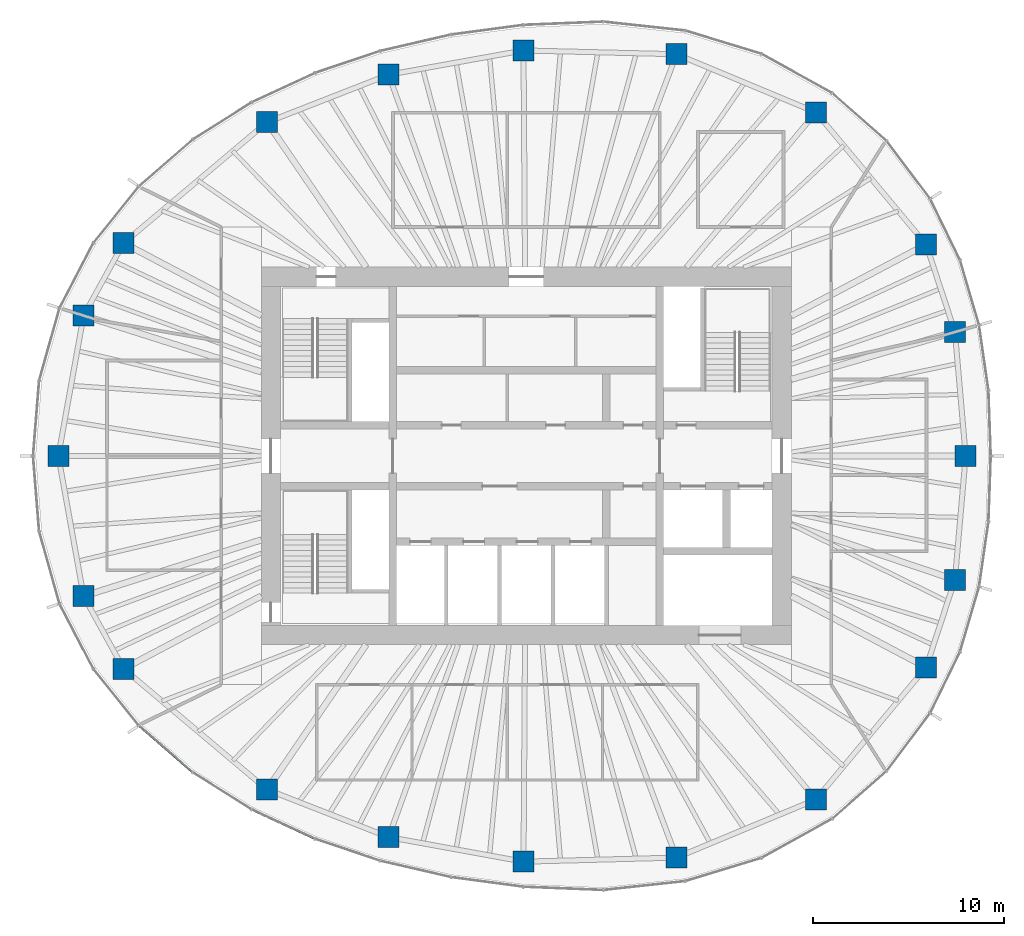
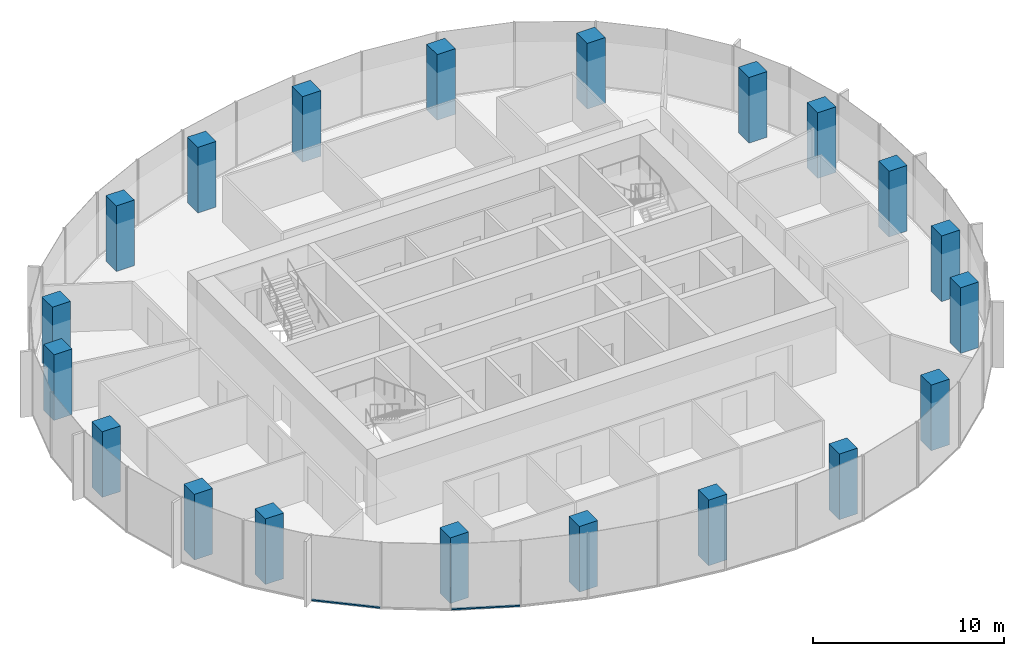
# One storey, part 1 of 11: 20 columns, 2 members, 2 elements without a shape of their own.
"""IFC4 building model written with IfcOpenShell, lengths in metres."""

from ifc_helpers import new_model, si_unit, direction, frame, origin, origin_2d, place, context, subcontext, project, spatial, rectangle, extrude, material, material_profile, profile_set, type_object, element, aggregate, save


model = new_model("IFC4")

# Units and contexts
model_context = context("Model", 3, precision=1e-05, world=origin(), true_north=direction((0.0, 1.0)))
body_context = subcontext(model_context, "Body", "Model", "MODEL_VIEW")
ifc_project = project(units=[si_unit("LENGTHUNIT", "METRE"), si_unit("AREAUNIT", "SQUARE_METRE"), si_unit("VOLUMEUNIT", "CUBIC_METRE"), si_unit("PLANEANGLEUNIT", "RADIAN"), si_unit("MASSUNIT", "GRAM", prefix="KILO")], contexts=[model_context])

# Site, building, storey
site_placement = place(None, origin())
site = spatial("IfcSite", under=ifc_project, at=site_placement, CompositionType="ELEMENT")
building_placement = place(site_placement, origin())
building = spatial("IfcBuilding", under=site, at=building_placement, Name="Ghaith Harvest Tower", CompositionType="ELEMENT")
storey_placement = place(building_placement, frame((0.0, 0.0, 292.199951171875)))
storey = spatial("IfcBuildingStorey", under=building, at=storey_placement, Name="L65", CompositionType="ELEMENT", Elevation=292.199951171875)

# Columns
ifc_material_1 = material(Name="Concrete C50/60", Category="concrete")
ifc_material_profile_1 = material_profile(ifc_material_1, rectangle(XDim=1.10009765625, YDim=1.10009765625, at=origin_2d()), Name="RC1100X1100")
ifc_profile_set_1 = profile_set([ifc_material_profile_1], Name="Concrete C50/60")
column_type = type_object("IfcColumnType", Name="TC7 RC1100X1100", PredefinedType="COLUMN", material=ifc_profile_set_1)
for number, where, z_axis, x_axis, name in (
    (1, (23.050048828125, 0.0, 0.0), (0.0, 0.0, 1.0), (1.0, 0.0, 0.0), "Perimeter column C01"),
    (2, (22.485107421875, 6.4990234375, 0.0), (0.0, 0.0, 1.0), (1.0, 0.0, 0.0), "Perimeter column C02"),
    (3, (20.97705078125, 11.087890625, 0.0), (0.0, 0.0, 1.0), (1.0, 0.0, 0.0), "Perimeter column C03"),
    (4, (15.197998046875, 18.02294921875, 0.0), (0.0, 0.0, 1.0), (1.0, 0.0, 0.0), "Perimeter column C04"),
    (5, (7.8779296875, 21.072021484375, 0.0), (0.0, 0.0, 1.0), (1.0, 0.0, 0.0), "Perimeter column C05"),
    (6, (-0.14599609375, 21.27099609375, 0.0), (0.0, 0.0, 1.0), (1.0, 0.0, 0.0), "Perimeter column C06"),
    (7, (-7.221923828125, 19.9970703125, 0.0), (0.0, 0.0, 1.0), (1.0, 0.0, 0.0), "Perimeter column C07"),
    (8, (-13.594970703125, 17.5048828125, 0.0), (0.0, 0.0, 1.0), (1.0, 0.0, 0.0), "Perimeter column C08"),
    (9, (-21.125, 11.166015625, 0.0), (0.0, 0.0, 1.0), (1.0, 0.0, 0.0), "Perimeter column C09"),
    (10, (-23.22412109375, 7.360107421875, 0.0), (0.0, 0.0, 1.0), (1.0, 0.0, 0.0), "Perimeter column C10"),
    (11, (-24.550048828125, 0.0, 0.0), (0.0, 0.0, 1.0), (1.0, 0.0, 0.0), "Perimeter column C11"),
    (12, (-23.22412109375, -7.360107421875, 0.0), (0.0, 0.0, 1.0), (1.0, 0.0, 0.0), "Perimeter column C12"),
    (13, (-21.125, -11.166015625, 0.0), (0.0, 0.0, 1.0), (1.0, 0.0, 0.0), "Perimeter column C13"),
    (14, (-13.594970703125, -17.5048828125, 0.0), (0.0, 0.0, 1.0), (1.0, 0.0, 0.0), "Perimeter column C14"),
    (15, (-7.221923828125, -19.9970703125, 0.0), (0.0, 0.0, 1.0), (1.0, 0.0, 0.0), "Perimeter column C15"),
    (16, (-0.14599609375, -21.285888671875, 0.0), (0.0, 0.0, 1.0), (1.0, 0.0, 0.0), "Perimeter column C16"),
    (17, (7.8779296875, -21.072021484375, 0.0), (0.0, 0.0, 1.0), (1.0, 0.0, 0.0), "Perimeter column C17"),
    (18, (15.197998046875, -18.02294921875, 0.0), (0.0, 0.0, 1.0), (1.0, 0.0, 0.0), "Perimeter column C18"),
    (19, (20.97705078125, -11.087890625, 0.0), (0.0, 0.0, 1.0), (1.0, 0.0, 0.0), "Perimeter column C19"),
    (20, (22.485107421875, -6.4990234375, 0.0), (0.0, 0.0, 1.0), (1.0, 0.0, 0.0), "Perimeter column C20"),
):
    element("IfcColumn", number, at=place(storey_placement, frame(where, z_axis=z_axis, x_axis=x_axis)), inside=storey, type_object=column_type, Name=name, PredefinedType="COLUMN", context=body_context, shape_type="SweptSolid", body=[
        extrude(rectangle(XDim=1.10009765625, YDim=1.10009765625, at=origin_2d()), origin(), (0.0, 0.0, 1.0), 4.199951171875),
    ])

# Curtain wall, member
ifc_material_2 = material(Name="Black anodised aluminium and fritted glass", Category="aluminium")
curtain_wall_type = type_object("IfcCurtainWallType", Name="CW-T CURTAIN WALL", PredefinedType="NOTDEFINED", material=ifc_material_2)
curtain_wall_1_placement = place(storey_placement, origin())
curtain_wall_1 = element("IfcCurtainWall", 21, at=curtain_wall_1_placement, inside=storey, type_object=curtain_wall_type, Name="Curtain wall CW-T bay 13 L65", PredefinedType="NOTDEFINED")
ifc_material_3 = material(Name="Aluminium, black anodised", Category="aluminium")
ifc_material_profile_2 = material_profile(ifc_material_3, rectangle(XDim=0.1201171875, YDim=0.080078125, at=origin_2d()), Name="CW-T TRANSOM 120x80")
ifc_profile_set_2 = profile_set([ifc_material_profile_2], Name="Aluminium, black anodised")
member_type = type_object("IfcMemberType", Name="CW-T TRANSOM 120x80", PredefinedType="USERDEFINED", material=ifc_profile_set_2)
member_1_placement = place(storey_placement, frame((-20.294189453125, -14.168212890625, 0.0400390625), z_axis=(0.754851889287, -0.65589528527, 0.0), x_axis=(0.65589528527, 0.754851889287, 0.0)))
member_1 = element("IfcMember", 22, at=member_1_placement, type_object=member_type, Name="CW-T transom 1 bay 13 L65", ObjectType="TRANSOM", PredefinedType="USERDEFINED", context=body_context, shape_type="SweptSolid", body=[
    extrude(rectangle(XDim=0.1201171875, YDim=0.080078125, at=origin_2d()), origin(), (0.0, 0.0, 1.0), 3.668701171875),
])
aggregate(curtain_wall_1, [member_1])

curtain_wall_2_placement = place(storey_placement, origin())
curtain_wall_2 = element("IfcCurtainWall", 23, at=curtain_wall_2_placement, inside=storey, type_object=curtain_wall_type, Name="Curtain wall CW-T bay 14 L65", PredefinedType="NOTDEFINED")
member_2_placement = place(storey_placement, frame((-14.36865234375, -18.564697265625, 0.0400390625), z_axis=(0.907472177056, -0.420112184862, 0.0), x_axis=(0.420112184862, 0.907472177056, 0.0)))
member_2 = element("IfcMember", 24, at=member_2_placement, type_object=member_type, Name="CW-T transom 1 bay 14 L65", ObjectType="TRANSOM", PredefinedType="USERDEFINED", context=body_context, shape_type="SweptSolid", body=[
    extrude(rectangle(XDim=0.1201171875, YDim=0.080078125, at=origin_2d()), origin(), (0.0, 0.0, 1.0), 3.597900390625),
])
aggregate(curtain_wall_2, [member_2])

save(model, "model.ifc")
